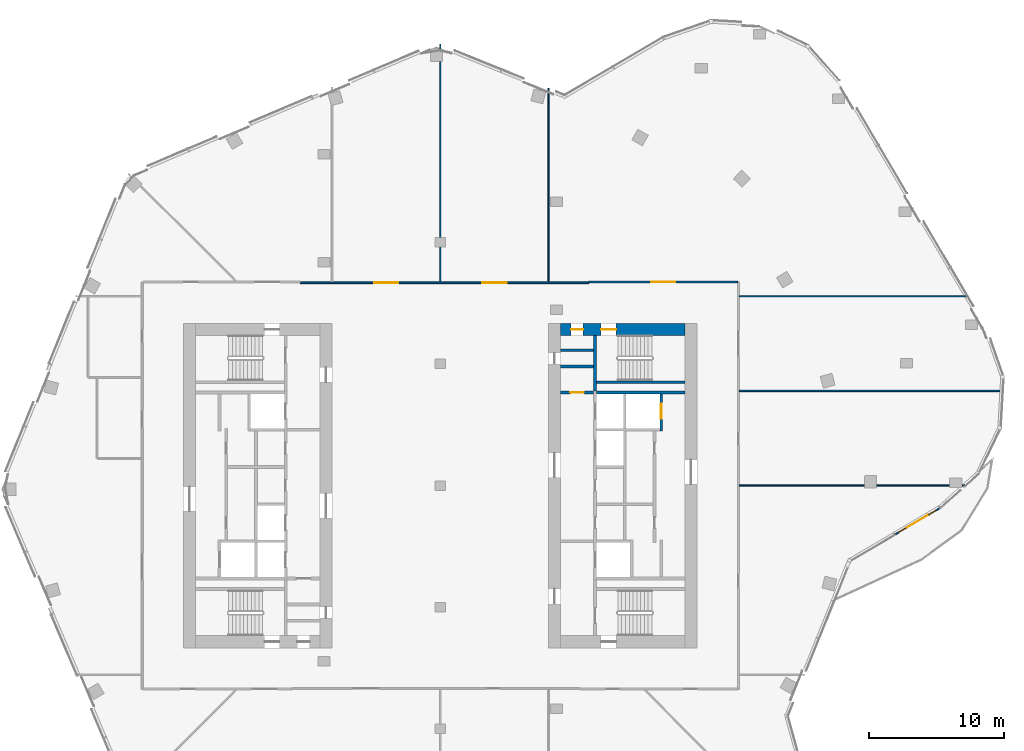
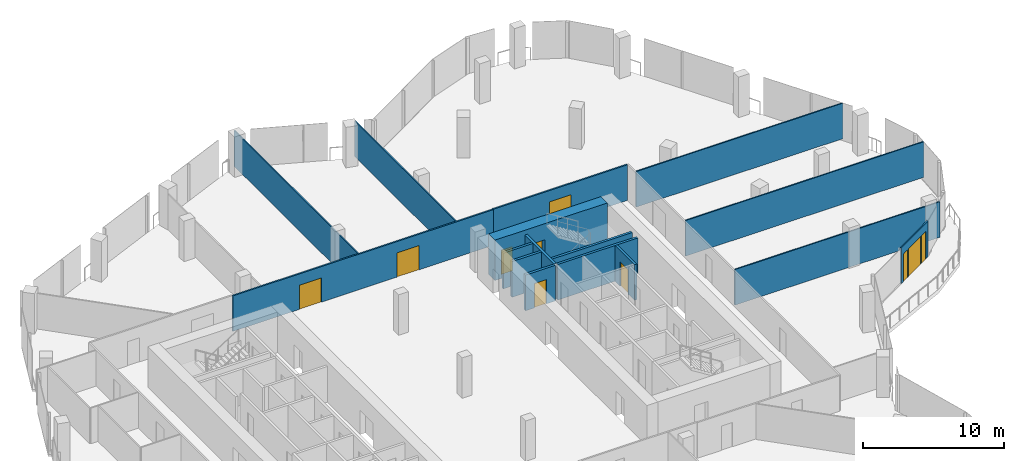
# One storey, part 21 of 26: 16 walls, 8 doors, 2 windows, 10 openings.
"""IFC4 building model written with IfcOpenShell, lengths in metres."""

from ifc_helpers import new_model, si_unit, direction, frame, frame_2d, origin, place, context, subcontext, project, spatial, rectangle, extrude, material, layer, layer_set, type_object, element, fill, save


model = new_model("IFC4")

# Units and contexts
model_context = context("Model", 3, precision=1e-05, world=origin(), true_north=direction((0.0, 1.0)))
body_context = subcontext(model_context, "Body", "Model", "MODEL_VIEW")
ifc_project = project(units=[si_unit("LENGTHUNIT", "METRE"), si_unit("AREAUNIT", "SQUARE_METRE"), si_unit("VOLUMEUNIT", "CUBIC_METRE"), si_unit("PLANEANGLEUNIT", "RADIAN"), si_unit("MASSUNIT", "GRAM", prefix="KILO")], contexts=[model_context])

# Site, building, storey
site_placement = place(None, origin())
site = spatial("IfcSite", under=ifc_project, at=site_placement, CompositionType="ELEMENT")
building_placement = place(site_placement, origin())
building = spatial("IfcBuilding", under=site, at=building_placement, Name="Orlundy Tower", CompositionType="ELEMENT")
storey_placement = place(building_placement, frame((0.0, 0.0, 275.39990234375)))
storey = spatial("IfcBuildingStorey", under=building, at=storey_placement, Name="L73", CompositionType="ELEMENT", Elevation=275.39990234375)

# Wall, openings, doors
ifc_material_1 = material(Name="Concrete C50/60", Category="concrete")
ifc_layer_1 = layer(ifc_material_1, 0.89990234375)
ifc_layer_set_1 = layer_set([ifc_layer_1], Name="CORE WALL 900 C50/60")
wall_type_1 = type_object("IfcWallType", Name="CORE WALL 900 C50/60", PredefinedType="SHEAR", material=ifc_layer_set_1)
wall_1_placement = place(storey_placement, frame((8.89990234375, 11.550048828125, 0.0), z_axis=(0.0, 0.0, 1.0), x_axis=(1.0, 0.0, 0.0)))
wall_1 = element("IfcWall", 1, at=wall_1_placement, inside=storey, type_object=wall_type_1, Name="Core wall E-N L73", PredefinedType="SHEAR", context=body_context, shape_type="SweptSolid", body=[
    extrude(rectangle(XDim=9.2001953125, YDim=0.89990234375, at=frame_2d((4.60009765625, 0.0))), origin(), (0.0, 0.0, 1.0), 3.5),
])
opening_1_placement = place(wall_1_placement, frame((3.0, 0.0, 0.0)))
opening_1 = element("IfcOpeningElement", 2, at=opening_1_placement, cuts=wall_1, Name="Opening 55062", PredefinedType="OPENING", context=body_context, shape_type="SweptSolid", body=[
    extrude(rectangle(XDim=1.10009765625, YDim=2.10009765625, at=frame_2d((0.550048828125, 1.050048828125))), frame((0.0, 0.4599609375, 0.0), z_axis=(0.0, -1.0, 0.0), x_axis=(1.0, 0.0, 0.0)), (0.0, 0.0, 1.0), 0.919921875),
])
opening_2_placement = place(wall_1_placement, frame((0.77001953125, 0.0, 0.0)))
opening_2 = element("IfcOpeningElement", 3, at=opening_2_placement, cuts=wall_1, Name="Opening 55064", PredefinedType="OPENING", context=body_context, shape_type="SweptSolid", body=[
    extrude(rectangle(XDim=0.89990234375, YDim=2.10009765625, at=frame_2d((0.449951171875, 1.050048828125))), frame((0.0, 0.4599609375, 0.0), z_axis=(0.0, -1.0, 0.0), x_axis=(1.0, 0.0, 0.0)), (0.0, 0.0, 1.0), 0.919921875),
])
ifc_material_2 = material(Name="Timber door set", Category="wood")
door_type_1 = type_object("IfcDoorType", Name="Room Door 900x2100", OperationType="SINGLE_SWING_LEFT", PredefinedType="DOOR", material=ifc_material_2)
door_1_placement = place(opening_2_placement, origin())
door_1 = element("IfcDoor", 4, at=door_1_placement, inside=storey, type_object=door_type_1, Name="Store door 55064", OperationType="SINGLE_SWING_LEFT", OverallHeight=2.10009765625, OverallWidth=0.89990234375, PredefinedType="DOOR", context=body_context, shape_type="SweptSolid", body=[
    extrude(rectangle(XDim=0.89990234375, YDim=2.10009765625, at=frame_2d((0.449951171875, 1.050048828125))), frame((0.0, 0.02490234375, 0.0), z_axis=(0.0, -1.0, 0.0), x_axis=(1.0, 0.0, 0.0)), (0.0, 0.0, 1.0), 0.050048828125),
])
fill(opening_2, door_1)
ifc_material_3 = material(Name="Steel door set", Category="steel")
door_type_2 = type_object("IfcDoorType", Name="Stair Door 1100x2100", OperationType="SINGLE_SWING_LEFT", PredefinedType="DOOR", material=ifc_material_3)
door_2_placement = place(opening_1_placement, origin())
door_2 = element("IfcDoor", 5, at=door_2_placement, inside=storey, type_object=door_type_2, Name="Stair door 55062", OperationType="SINGLE_SWING_LEFT", OverallHeight=2.10009765625, OverallWidth=1.10009765625, PredefinedType="DOOR", context=body_context, shape_type="SweptSolid", body=[
    extrude(rectangle(XDim=1.10009765625, YDim=2.10009765625, at=frame_2d((0.550048828125, 1.050048828125))), frame((0.0, 0.02490234375, 0.0), z_axis=(0.0, -1.0, 0.0), x_axis=(1.0, 0.0, 0.0)), (0.0, 0.0, 1.0), 0.050048828125),
])
fill(opening_1, door_2)

# Walls
ifc_material_4 = material(Name="Gypsum board partition")
ifc_layer_2 = layer(ifc_material_4, 0.10009765625)
ifc_layer_set_2 = layer_set([ifc_layer_2], Name="Floor partition 100")
wall_type_2 = type_object("IfcWallType", Name="Floor partition 100", PredefinedType="PARTITIONING", material=ifc_layer_set_2)
wall_2_placement = place(storey_placement, frame((22.113037109375, 0.0, 0.0), z_axis=(0.0, 0.0, 1.0), x_axis=(1.0, 0.0, 0.0)))
element("IfcWall", 6, at=wall_2_placement, inside=storey, type_object=wall_type_2, Name="wall-int-L73-008", PredefinedType="PARTITIONING", context=body_context, shape_type="SweptSolid", body=[
    extrude(rectangle(XDim=16.802978515625, YDim=0.10009765625, at=frame_2d((8.4013671875, 0.0))), origin(), (0.0, 0.0, 1.0), 3.080078125),
])
wall_3_placement = place(storey_placement, frame((22.113037109375, 7.0, 0.0), z_axis=(0.0, 0.0, 1.0), x_axis=(1.0, 0.0, 0.0)))
element("IfcWall", 7, at=wall_3_placement, inside=storey, type_object=wall_type_2, Name="wall-int-L73-010", PredefinedType="PARTITIONING", context=body_context, shape_type="SweptSolid", body=[
    extrude(rectangle(XDim=19.52685546875, YDim=0.10009765625, at=frame_2d((9.763427734375, 0.0))), origin(), (0.0, 0.0, 1.0), 3.080078125),
])
wall_4_placement = place(storey_placement, frame((22.113037109375, 14.0, 0.0), z_axis=(0.0, 0.0, 1.0), x_axis=(1.0, 0.0, 0.0)))
element("IfcWall", 8, at=wall_4_placement, inside=storey, type_object=wall_type_2, Name="wall-int-L73-013", PredefinedType="PARTITIONING", context=body_context, shape_type="SweptSolid", body=[
    extrude(rectangle(XDim=16.93505859375, YDim=0.10009765625, at=frame_2d((8.467529296875, 0.0))), origin(), (0.0, 0.0, 1.0), 3.080078125),
])
wall_5_placement = place(storey_placement, frame((8.0, 15.06298828125, 0.0), z_axis=(0.0, 0.0, 1.0), x_axis=(0.0, 1.0, 0.0)))
element("IfcWall", 9, at=wall_5_placement, inside=storey, type_object=wall_type_2, Name="wall-int-L73-020", PredefinedType="PARTITIONING", context=body_context, shape_type="SweptSolid", body=[
    extrude(rectangle(XDim=14.3310546875, YDim=0.10009765625, at=frame_2d((7.16552734375, 0.0))), origin(), (0.0, 0.0, 1.0), 3.080078125),
])
wall_6_placement = place(storey_placement, frame((0.0, 15.06298828125, 0.0), z_axis=(0.0, 0.0, 1.0), x_axis=(0.0, 1.0, 0.0)))
element("IfcWall", 10, at=wall_6_placement, inside=storey, type_object=wall_type_2, Name="wall-int-L73-022", PredefinedType="PARTITIONING", context=body_context, shape_type="SweptSolid", body=[
    extrude(rectangle(XDim=17.56396484375, YDim=0.10009765625, at=frame_2d((8.781982421875, 0.0))), origin(), (0.0, 0.0, 1.0), 3.080078125),
])

# Wall, openings, doors
ifc_material_5 = material(Name="Gypsum board partition, double layer")
ifc_layer_3 = layer(ifc_material_5, 0.125)
ifc_layer_set_3 = layer_set([ifc_layer_3], Name="Floor partition 125")
wall_type_3 = type_object("IfcWallType", Name="Floor partition 125", PredefinedType="PARTITIONING", material=ifc_layer_set_3)
wall_7_placement = place(storey_placement, frame((-10.34912109375, 15.0009765625, 0.0), z_axis=(0.0, 0.0, 1.0), x_axis=(1.0, 0.0, 0.0)))
wall_7 = element("IfcWall", 11, at=wall_7_placement, inside=storey, type_object=wall_type_3, Name="wall-int-L73-014", PredefinedType="PARTITIONING", context=body_context, shape_type="SweptSolid", body=[
    extrude(rectangle(XDim=21.339111328125, YDim=0.125, at=frame_2d((10.66943359375, 0.0))), origin(), (0.0, 0.0, 1.0), 3.080078125),
])
opening_3_placement = place(wall_7_placement, frame((13.448974609375, 0.0, 0.0)))
opening_3 = element("IfcOpeningElement", 12, at=opening_3_placement, cuts=wall_7, Name="Opening 55111", PredefinedType="OPENING", context=body_context, shape_type="SweptSolid", body=[
    extrude(rectangle(XDim=1.800048828125, YDim=2.10009765625, at=frame_2d((0.89990234375, 1.050048828125))), frame((0.0, 0.072509765625, 0.0), z_axis=(0.0, -1.0, 0.0), x_axis=(1.0, 0.0, 0.0)), (0.0, 0.0, 1.0), 0.14501953125),
])
opening_4_placement = place(wall_7_placement, frame((5.448974609375, 0.0, 0.0)))
opening_4 = element("IfcOpeningElement", 13, at=opening_4_placement, cuts=wall_7, Name="Opening 55112", PredefinedType="OPENING", context=body_context, shape_type="SweptSolid", body=[
    extrude(rectangle(XDim=1.800048828125, YDim=2.10009765625, at=frame_2d((0.89990234375, 1.050048828125))), frame((0.0, 0.072509765625, 0.0), z_axis=(0.0, -1.0, 0.0), x_axis=(1.0, 0.0, 0.0)), (0.0, 0.0, 1.0), 0.14501953125),
])
ifc_material_6 = material(Name="Timber door leaf", Category="wood")
door_type_3 = type_object("IfcDoorType", Name="Floor door double 1800 FD30S", OperationType="NOTDEFINED", PredefinedType="DOOR", material=ifc_material_6)
door_3_placement = place(opening_3_placement, origin())
door_3 = element("IfcDoor", 14, at=door_3_placement, inside=storey, type_object=door_type_3, Name="Door 55111", OperationType="DOUBLE_DOOR_SINGLE_SWING", OverallHeight=2.10009765625, OverallWidth=1.800048828125, PredefinedType="DOOR", context=body_context, shape_type="SweptSolid", body=[
    extrude(rectangle(XDim=1.800048828125, YDim=2.10009765625, at=frame_2d((0.89990234375, 1.050048828125))), frame((0.0, 0.02490234375, 0.0), z_axis=(0.0, -1.0, 0.0), x_axis=(1.0, 0.0, 0.0)), (0.0, 0.0, 1.0), 0.050048828125),
])
fill(opening_3, door_3)
door_4_placement = place(opening_4_placement, origin())
door_4 = element("IfcDoor", 15, at=door_4_placement, inside=storey, type_object=door_type_3, Name="Door 55112", OperationType="DOUBLE_DOOR_SINGLE_SWING", OverallHeight=2.10009765625, OverallWidth=1.800048828125, PredefinedType="DOOR", context=body_context, shape_type="SweptSolid", body=[
    extrude(rectangle(XDim=1.800048828125, YDim=2.10009765625, at=frame_2d((0.89990234375, 1.050048828125))), frame((0.0, 0.02490234375, 0.0), z_axis=(0.0, -1.0, 0.0), x_axis=(1.0, 0.0, 0.0)), (0.0, 0.0, 1.0), 0.050048828125),
])
fill(opening_4, door_4)

# Wall, opening, door
wall_8_placement = place(storey_placement, frame((10.990966796875, 15.051025390625, 0.0), z_axis=(0.0, 0.0, 1.0), x_axis=(1.0, 0.0, 0.0)))
wall_8 = element("IfcWall", 16, at=wall_8_placement, inside=storey, type_object=wall_type_3, Name="wall-int-L73-016", PredefinedType="PARTITIONING", context=body_context, shape_type="SweptSolid", body=[
    extrude(rectangle(XDim=10.9970703125, YDim=0.125, at=frame_2d((5.49853515625, 0.0))), origin(), (0.0, 0.0, 1.0), 3.080078125),
])
opening_5_placement = place(wall_8_placement, frame((4.60009765625, 0.0, 0.0)))
opening_5 = element("IfcOpeningElement", 17, at=opening_5_placement, cuts=wall_8, Name="Opening 55110", PredefinedType="OPENING", context=body_context, shape_type="SweptSolid", body=[
    extrude(rectangle(XDim=1.800048828125, YDim=2.10009765625, at=frame_2d((0.89990234375, 1.050048828125))), frame((0.0, 0.072509765625, 0.0), z_axis=(0.0, -1.0, 0.0), x_axis=(1.0, 0.0, 0.0)), (0.0, 0.0, 1.0), 0.14501953125),
])
door_5_placement = place(opening_5_placement, origin())
door_5 = element("IfcDoor", 18, at=door_5_placement, inside=storey, type_object=door_type_3, Name="Door 55110", OperationType="DOUBLE_DOOR_SINGLE_SWING", OverallHeight=2.10009765625, OverallWidth=1.800048828125, PredefinedType="DOOR", context=body_context, shape_type="SweptSolid", body=[
    extrude(rectangle(XDim=1.800048828125, YDim=2.10009765625, at=frame_2d((0.89990234375, 1.050048828125))), frame((0.0, 0.02490234375, 0.0), z_axis=(0.0, -1.0, 0.0), x_axis=(1.0, 0.0, 0.0)), (0.0, 0.0, 1.0), 0.050048828125),
])
fill(opening_5, door_5)

# Wall, openings, windows, door
ifc_material_7 = material(Name="Aluminium bronze and tinted glass", Category="aluminium")
ifc_layer_4 = layer(ifc_material_7, 0.10009765625)
ifc_layer_set_4 = layer_set([ifc_layer_4], Name="Glazed door screen")
wall_type_4 = type_object("IfcWallType", Name="Glazed door screen", PredefinedType="STANDARD", material=ifc_layer_set_4)
wall_9_placement = place(storey_placement, frame((36.95458984375, -1.664306640625, 0.0), z_axis=(0.0, 0.0, 1.0), x_axis=(-0.861607547151, -0.507575053261, 0.0)))
wall_9 = element("IfcWall", 19, at=wall_9_placement, inside=storey, type_object=wall_type_4, Name="Glazed door screen", PredefinedType="STANDARD", context=body_context, shape_type="SweptSolid", body=[
    extrude(rectangle(XDim=3.86376953125, YDim=0.10009765625, at=frame_2d((1.931884765625, 0.0))), origin(), (0.0, 0.0, 1.0), 3.10009765625),
])
opening_6_placement = place(wall_9_placement, frame((1.043212890625, 0.0, 0.0)))
opening_6 = element("IfcOpeningElement", 20, at=opening_6_placement, cuts=wall_9, Name="Opening 55940", PredefinedType="OPENING", context=body_context, shape_type="SweptSolid", body=[
    extrude(rectangle(XDim=1.800048828125, YDim=2.39990234375, at=frame_2d((0.89990234375, 1.199951171875))), frame((0.0, 0.06005859375, 0.0), z_axis=(0.0, -1.0, 0.0), x_axis=(1.0, 0.0, 0.0)), (0.0, 0.0, 1.0), 0.1201171875),
])
opening_7_placement = place(wall_9_placement, frame((0.343017578125, 0.0, 0.0)))
opening_7 = element("IfcOpeningElement", 21, at=opening_7_placement, cuts=wall_9, Name="Opening W01", PredefinedType="OPENING", context=body_context, shape_type="SweptSolid", body=[
    extrude(rectangle(XDim=0.60009765625, YDim=2.39990234375, at=frame_2d((0.300048828125, 1.199951171875))), frame((0.0, 0.06005859375, 0.0), z_axis=(0.0, -1.0, 0.0), x_axis=(1.0, 0.0, 0.0)), (0.0, 0.0, 1.0), 0.1201171875),
])
opening_8_placement = place(wall_9_placement, frame((2.943115234375, 0.0, 0.0)))
opening_8 = element("IfcOpeningElement", 22, at=opening_8_placement, cuts=wall_9, Name="Opening W01", PredefinedType="OPENING", context=body_context, shape_type="SweptSolid", body=[
    extrude(rectangle(XDim=0.60009765625, YDim=2.39990234375, at=frame_2d((0.300048828125, 1.199951171875))), frame((0.0, 0.06005859375, 0.0), z_axis=(0.0, -1.0, 0.0), x_axis=(1.0, 0.0, 0.0)), (0.0, 0.0, 1.0), 0.1201171875),
])
ifc_material_8 = material(Name="Tinted glass in bronze aluminium frame", Category="aluminium")
window_type = type_object("IfcWindowType", Name="SL1 sidelight 600x2400", PartitioningType="SINGLE_PANEL", PredefinedType="WINDOW", material=ifc_material_8)
window_1_placement = place(opening_7_placement, origin())
window_1 = element("IfcWindow", 23, at=window_1_placement, inside=storey, type_object=window_type, Name="Window W01 L73", OverallHeight=2.39990234375, OverallWidth=0.60009765625, PartitioningType="SINGLE_PANEL", PredefinedType="WINDOW", context=body_context, shape_type="SweptSolid", body=[
    extrude(rectangle(XDim=0.60009765625, YDim=2.39990234375, at=frame_2d((0.300048828125, 1.199951171875))), frame((0.0, 0.030029296875, 0.0), z_axis=(0.0, -1.0, 0.0), x_axis=(1.0, 0.0, 0.0)), (0.0, 0.0, 1.0), 0.06005859375),
])
fill(opening_7, window_1)
window_2_placement = place(opening_8_placement, origin())
window_2 = element("IfcWindow", 24, at=window_2_placement, inside=storey, type_object=window_type, Name="Window W01 L73", OverallHeight=2.39990234375, OverallWidth=0.60009765625, PartitioningType="SINGLE_PANEL", PredefinedType="WINDOW", context=body_context, shape_type="SweptSolid", body=[
    extrude(rectangle(XDim=0.60009765625, YDim=2.39990234375, at=frame_2d((0.300048828125, 1.199951171875))), frame((0.0, 0.030029296875, 0.0), z_axis=(0.0, -1.0, 0.0), x_axis=(1.0, 0.0, 0.0)), (0.0, 0.0, 1.0), 0.06005859375),
])
fill(opening_8, window_2)
ifc_material_9 = material(Name="Aluminium bronze and tinted glass", Category="aluminium")
door_type_4 = type_object("IfcDoorType", Name="TD1 terrace door 1800x2400", OperationType="NOTDEFINED", PredefinedType="DOOR", material=ifc_material_9)
door_6_placement = place(opening_6_placement, origin())
door_6 = element("IfcDoor", 25, at=door_6_placement, inside=storey, type_object=door_type_4, Name="Door 55940", OperationType="DOUBLE_DOOR_SINGLE_SWING", OverallHeight=2.39990234375, OverallWidth=1.800048828125, PredefinedType="DOOR", context=body_context, shape_type="SweptSolid", body=[
    extrude(rectangle(XDim=1.800048828125, YDim=2.39990234375, at=frame_2d((0.89990234375, 1.199951171875))), frame((0.0, 0.02490234375, 0.0), z_axis=(0.0, -1.0, 0.0), x_axis=(1.0, 0.0, 0.0)), (0.0, 0.0, 1.0), 0.050048828125),
])
fill(opening_6, door_6)

# Walls
ifc_material_10 = material(Name="Concrete C40/50", Category="concrete")
ifc_layer_5 = layer(ifc_material_10, 0.199951171875)
ifc_layer_set_5 = layer_set([ifc_layer_5], Name="Load-bearing Shaft Wall 200")
wall_type_5 = type_object("IfcWallType", Name="Load-bearing Shaft Wall 200", PredefinedType="SOLIDWALL", material=ifc_layer_set_5)
wall_10_placement = place(storey_placement, frame((11.43994140625, 11.10009765625, 0.0), z_axis=(0.0, 0.0, 1.0), x_axis=(0.0, -1.0, 0.0)))
element("IfcWall", 26, at=wall_10_placement, inside=storey, type_object=wall_type_5, Name="Shaft wall E55-stair-end-s", PredefinedType="SOLIDWALL", context=body_context, shape_type="SweptSolid", body=[
    extrude(rectangle(XDim=4.125, YDim=0.199951171875, at=frame_2d((2.0625, 0.0))), origin(), (0.0, 0.0, 1.0), 3.090087890625),
])
wall_11_placement = place(storey_placement, frame((11.5400390625, 7.64990234375, 0.0), z_axis=(0.0, 0.0, 1.0), x_axis=(1.0, 0.0, 0.0)))
element("IfcWall", 27, at=wall_11_placement, inside=storey, type_object=wall_type_5, Name="Shaft wall E55-stair-side-s", PredefinedType="SOLIDWALL", context=body_context, shape_type="SweptSolid", body=[
    extrude(rectangle(XDim=6.56005859375, YDim=0.199951171875, at=frame_2d((3.280029296875, 0.0))), origin(), (0.0, 0.0, 1.0), 3.090087890625),
])

# Wall, opening, door
ifc_material_11 = material(Name="Gypsum board partition on steel studs", Category="steel")
ifc_layer_6 = layer(ifc_material_11, 0.199951171875)
ifc_layer_set_6 = layer_set([ifc_layer_6], Name="Partition 200")
wall_type_6 = type_object("IfcWallType", Name="Partition 200", PredefinedType="PARTITIONING", material=ifc_layer_set_6)
wall_12_placement = place(storey_placement, frame((8.89990234375, 6.875, 0.0), z_axis=(0.0, 0.0, 1.0), x_axis=(1.0, 0.0, 0.0)))
wall_12 = element("IfcWall", 28, at=wall_12_placement, inside=storey, type_object=wall_type_6, Name="Partition wall E55-end-s", PredefinedType="PARTITIONING", context=body_context, shape_type="SweptSolid", body=[
    extrude(rectangle(XDim=2.440185546875, YDim=0.199951171875, at=frame_2d((1.22021484375, 0.0))), origin(), (0.0, 0.0, 1.0), 3.090087890625),
])
opening_9_placement = place(wall_12_placement, frame((0.719970703125, 0.0, 0.0)))
opening_9 = element("IfcOpeningElement", 29, at=opening_9_placement, cuts=wall_12, Name="Opening 55066", PredefinedType="OPENING", context=body_context, shape_type="SweptSolid", body=[
    extrude(rectangle(XDim=1.0, YDim=2.10009765625, at=frame_2d((0.5, 1.050048828125))), frame((0.0, 0.110107421875, 0.0), z_axis=(0.0, -1.0, 0.0), x_axis=(1.0, 0.0, 0.0)), (0.0, 0.0, 1.0), 0.22021484375),
])
ifc_material_12 = material(Name="Timber door set", Category="wood")
door_type_5 = type_object("IfcDoorType", Name="Accessible Door 1000x2100", OperationType="SINGLE_SWING_LEFT", PredefinedType="DOOR", material=ifc_material_12)
door_7_placement = place(opening_9_placement, origin())
door_7 = element("IfcDoor", 30, at=door_7_placement, inside=storey, type_object=door_type_5, Name="Accessible WC door 55066", OperationType="SINGLE_SWING_RIGHT", OverallHeight=2.10009765625, OverallWidth=1.0, PredefinedType="DOOR", context=body_context, shape_type="SweptSolid", body=[
    extrude(rectangle(XDim=1.0, YDim=2.10009765625, at=frame_2d((0.5, 1.050048828125))), frame((0.0, 0.02490234375, 0.0), z_axis=(0.0, -1.0, 0.0), x_axis=(1.0, 0.0, 0.0)), (0.0, 0.0, 1.0), 0.050048828125),
])
fill(opening_9, door_7)

# Walls
for number, where, z_axis, x_axis, name in (
    (31, (8.89990234375, 10.0, 0.0), (0.0, 0.0, 1.0), (1.0, 0.0, 0.0), "Partition wall E55-room-s0"),
    (32, (8.89990234375, 8.800048828125, 0.0), (0.0, 0.0, 1.0), (1.0, 0.0, 0.0), "Partition wall E55-room-s1"),
):
    element("IfcWall", number, at=place(storey_placement, frame(where, z_axis=z_axis, x_axis=x_axis)), inside=storey, type_object=wall_type_6, Name=name, PredefinedType="PARTITIONING", context=body_context, shape_type="SweptSolid", body=[
        extrude(rectangle(XDim=2.440185546875, YDim=0.199951171875, at=frame_2d((1.22021484375, 0.0))), origin(), (0.0, 0.0, 1.0), 3.090087890625),
    ])
ifc_material_13 = material(Name="Fire-rated blockwork shaft wall", Category="masonry")
ifc_layer_7 = layer(ifc_material_13, 0.199951171875)
ifc_layer_set_7 = layer_set([ifc_layer_7], Name="Shaft Wall 200")
wall_type_7 = type_object("IfcWallType", Name="Shaft Wall 200", PredefinedType="SOLIDWALL", material=ifc_layer_set_7)
wall_13_placement = place(storey_placement, frame((11.5400390625, 6.875, 0.0), z_axis=(0.0, 0.0, 1.0), x_axis=(1.0, 0.0, 0.0)))
element("IfcWall", 33, at=wall_13_placement, inside=storey, type_object=wall_type_7, Name="Shaft wall E55-zone-s", PredefinedType="SOLIDWALL", context=body_context, shape_type="SweptSolid", body=[
    extrude(rectangle(XDim=6.56005859375, YDim=0.199951171875, at=frame_2d((3.280029296875, 0.0))), origin(), (0.0, 0.0, 1.0), 3.090087890625),
])

# Wall, opening, door
wall_14_placement = place(storey_placement, frame((16.340087890625, 6.77490234375, 0.0), z_axis=(0.0, 0.0, 1.0), x_axis=(0.0, -1.0, 0.0)))
wall_14 = element("IfcWall", 34, at=wall_14_placement, inside=storey, type_object=wall_type_7, Name="Shaft wall E55-front-o-a", PredefinedType="SOLIDWALL", context=body_context, shape_type="SweptSolid", body=[
    extrude(rectangle(XDim=2.75, YDim=0.199951171875, at=frame_2d((1.375, 0.0))), origin(), (0.0, 0.0, 1.0), 3.090087890625),
])
opening_10_placement = place(wall_14_placement, frame((0.72509765625, 0.0, 0.0)))
opening_10 = element("IfcOpeningElement", 35, at=opening_10_placement, cuts=wall_14, Name="Opening 55051", PredefinedType="OPENING", context=body_context, shape_type="SweptSolid", body=[
    extrude(rectangle(XDim=1.10009765625, YDim=2.10009765625, at=frame_2d((0.550048828125, 1.050048828125))), frame((0.0, 0.110107421875, 0.0), z_axis=(0.0, -1.0, 0.0), x_axis=(1.0, 0.0, 0.0)), (0.0, 0.0, 1.0), 0.22021484375),
])
ifc_material_14 = material(Name="Steel door set", Category="steel")
door_type_6 = type_object("IfcDoorType", Name="Landing Door 1100x2100", OperationType="DOUBLE_DOOR_SLIDING", PredefinedType="DOOR", material=ifc_material_14)
door_8_placement = place(opening_10_placement, origin())
door_8 = element("IfcDoor", 36, at=door_8_placement, inside=storey, type_object=door_type_6, Name="Lift landing door LV-02 55051", OperationType="DOUBLE_DOOR_SLIDING", OverallHeight=2.10009765625, OverallWidth=1.10009765625, PredefinedType="DOOR", context=body_context, shape_type="SweptSolid", body=[
    extrude(rectangle(XDim=1.10009765625, YDim=2.10009765625, at=frame_2d((0.550048828125, 1.050048828125))), frame((0.0, 0.02490234375, 0.0), z_axis=(0.0, -1.0, 0.0), x_axis=(1.0, 0.0, 0.0)), (0.0, 0.0, 1.0), 0.050048828125),
])
fill(opening_10, door_8)

save(model, "model.ifc")
